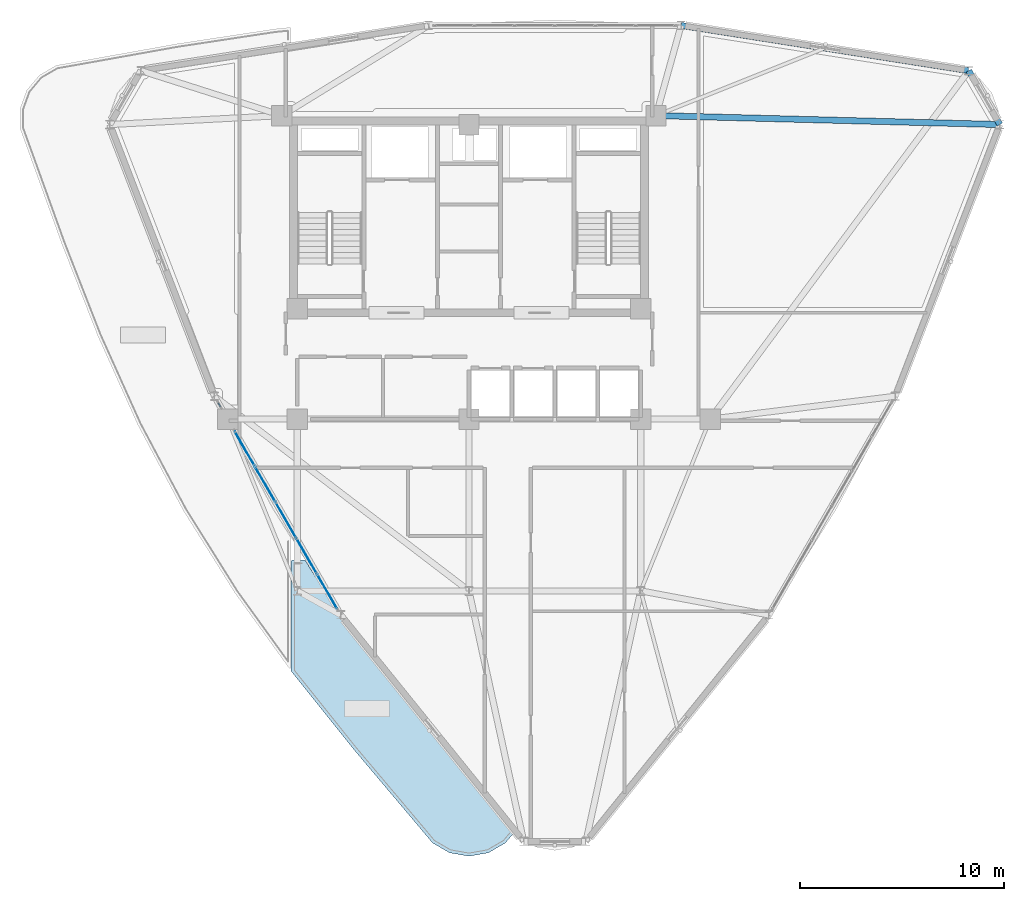
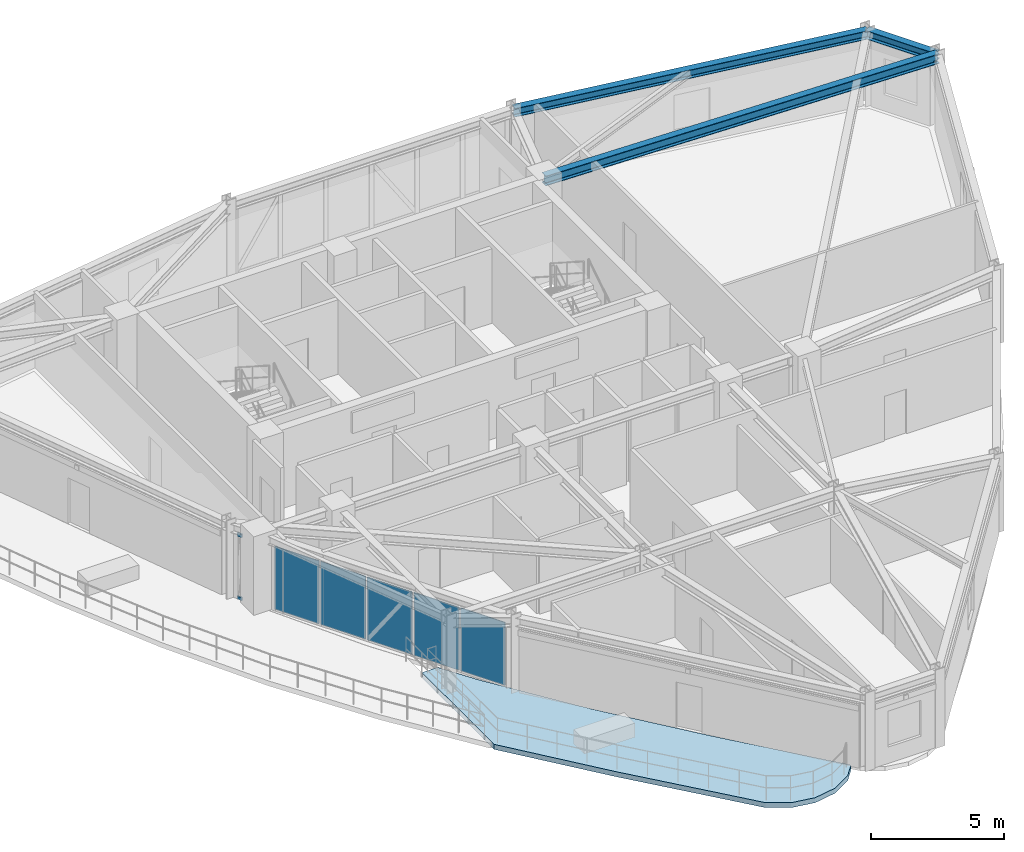
# One storey, part 11 of 19: 5 plates, 3 beams, 2 members, 1 slab, 2 elements without a shape of their own.
"""IFC4 building model written with IfcOpenShell, lengths in metres."""

from ifc_helpers import new_model, si_unit, derived_unit, direction, frame, origin, origin_2d, place, context, subcontext, project, spatial, polyline, rectangle, hollow_rectangle, i_section, outline, extrude, source, transform, mapped, material, layer, layer_set, material_profile, profile_set, type_object, element, aggregate, save


model = new_model("IFC4")

# Units and contexts
model_context = context("Model", 3, precision=1e-05, world=origin(), true_north=direction((0.0, 1.0)))
body_context = subcontext(model_context, "Body", "Model", "MODEL_VIEW")
ifc_project = project(units=[si_unit("LENGTHUNIT", "METRE"), si_unit("AREAUNIT", "SQUARE_METRE"), si_unit("VOLUMEUNIT", "CUBIC_METRE"), si_unit("PLANEANGLEUNIT", "RADIAN"), si_unit("MASSUNIT", "GRAM", prefix="KILO"), derived_unit("THERMALTRANSMITTANCEUNIT", [(si_unit("POWERUNIT", "WATT"), 1), (si_unit("LENGTHUNIT", "METRE"), -2), (si_unit("THERMODYNAMICTEMPERATUREUNIT", "KELVIN"), -1)])], contexts=[model_context])

# Site, building, storey
site_placement = place(None, origin())
site = spatial("IfcSite", under=ifc_project, at=site_placement, CompositionType="ELEMENT")
building_placement = place(site_placement, origin())
building = spatial("IfcBuilding", under=site, at=building_placement, Name="Korsvarv Bourse and Concert Hall", CompositionType="ELEMENT")
storey_placement = place(building_placement, frame((0.0, 0.0, 205.800048828125)))
storey = spatial("IfcBuildingStorey", under=building, at=storey_placement, Name="L53", CompositionType="ELEMENT", Elevation=205.800048828125)

# Beams
ifc_material_1 = material(Name="Steel S355", Category="steel")
ifc_material_profile_1 = material_profile(ifc_material_1, i_section(OverallWidth=0.300048828125, OverallDepth=0.389892578125, WebThickness=0.010986328125, FlangeThickness=0.01904296875, FilletRadius=0.02099609375, at=origin_2d()), Name="HEA 400")
ifc_profile_set_1 = profile_set([ifc_material_profile_1], Name="Steel S355")
beam_type_1 = type_object("IfcBeamType", Name="BM-HEA400", PredefinedType="BEAM", material=ifc_profile_set_1)
shared_shape_1 = source(origin(), body_context, "Body", "SweptSolid", [
    extrude(i_section(OverallWidth=0.300048828125, OverallDepth=0.389892578125, WebThickness=0.010986328125, FlangeThickness=0.01904296875, FilletRadius=0.02099609375, at=origin_2d()), origin(), (0.0, 0.0, 1.0), 3.04443359375),
])
beam_1_placement = place(storey_placement, frame((61.97021484375, 46.811279296875, 3.21484375), z_axis=(-0.500011694876, 0.866018651639, 0.0), x_axis=(-0.866018651639, -0.500011694876, 0.0)))
element("IfcBeam", 1, at=beam_1_placement, inside=storey, type_object=beam_type_1, Name="L53 beam B-11", PredefinedType="BEAM", context=body_context, shape_type="MappedRepresentation", body=[
    mapped(shared_shape_1, transform((0.0, 0.0, 0.0), scale=1.0)),
])
shared_shape_2 = source(origin(), body_context, "Body", "SweptSolid", [
    extrude(i_section(OverallWidth=0.300048828125, OverallDepth=0.389892578125, WebThickness=0.010986328125, FlangeThickness=0.01904296875, FilletRadius=0.02099609375, at=origin_2d()), origin(), (0.0, 0.0, 1.0), 14.244384765625),
])
beam_2_placement = place(storey_placement, frame((60.447998046875, 49.44775390625, 3.21484375), z_axis=(-0.987848421063, 0.15542038799, 0.0), x_axis=(-0.15542038799, -0.987848421063, 0.0)))
element("IfcBeam", 2, at=beam_2_placement, inside=storey, type_object=beam_type_1, Name="L53 beam B-11", PredefinedType="BEAM", context=body_context, shape_type="MappedRepresentation", body=[
    mapped(shared_shape_2, transform((0.0, 0.0, 0.0), scale=1.0)),
])
ifc_material_profile_2 = material_profile(ifc_material_1, i_section(OverallWidth=0.300048828125, OverallDepth=0.449951171875, WebThickness=0.013916015625, FlangeThickness=0.02587890625, FilletRadius=0.02099609375, at=origin_2d()), Name="HEB 450")
ifc_profile_set_2 = profile_set([ifc_material_profile_2], Name="Steel S355")
beam_type_2 = type_object("IfcBeamType", Name="BM-HEB450", PredefinedType="SPANDREL", material=ifc_profile_set_2)
shared_shape_3 = source(origin(), body_context, "Body", "SweptSolid", [
    extrude(i_section(OverallWidth=0.300048828125, OverallDepth=0.449951171875, WebThickness=0.013916015625, FlangeThickness=0.02587890625, FilletRadius=0.02099609375, at=origin_2d()), origin(), (0.0, 0.0, 1.0), 16.825927734375),
])
beam_3_placement = place(storey_placement, frame((61.97021484375, 46.811279296875, 3.18505859375), z_axis=(-0.999660017456, 0.02607392376, 0.0), x_axis=(-0.02607392376, -0.999660017456, 0.0)))
element("IfcBeam", 3, at=beam_3_placement, inside=storey, type_object=beam_type_2, Name="L53 beam B-08", PredefinedType="SPANDREL", context=body_context, shape_type="MappedRepresentation", body=[
    mapped(shared_shape_3, transform((0.0, 0.0, 0.0), scale=1.0)),
])

# Curtain wall, members
ifc_material_2 = material(Name="Anodised aluminium and triple low-E glazing", Category="glass")
ifc_layer_1 = layer(ifc_material_2, 0.199951171875)
ifc_layer_set_1 = layer_set([ifc_layer_1], Name="Anodised aluminium and triple low-E glazing")
curtain_wall_type = type_object("IfcCurtainWallType", Name="CW-SYS-3", PredefinedType="NOTDEFINED", material=ifc_layer_set_1)
curtain_wall_1_placement = place(storey_placement, origin())
curtain_wall_1 = element("IfcCurtainWall", 4, at=curtain_wall_1_placement, inside=storey, type_object=curtain_wall_type, Name="L53 CW3 curtain wall CW-L53-F07-1", PredefinedType="NOTDEFINED")
ifc_material_3 = material(Name="Extruded aluminium EN AW-6063 T66", Category="aluminium")
ifc_material_profile_3 = material_profile(ifc_material_3, hollow_rectangle(XDim=0.06494140625, YDim=0.139892578125, WallThickness=0.00390625, at=origin_2d()), Name="ALU-T 65x140")
ifc_profile_set_3 = profile_set([ifc_material_profile_3], Name="Extruded aluminium EN AW-6063 T66")
member_type = type_object("IfcMemberType", Name="CWT-140", PredefinedType="USERDEFINED", material=ifc_profile_set_3)
shared_shape_4 = source(origin(), body_context, "Body", "SweptSolid", [
    extrude(hollow_rectangle(XDim=0.06494140625, YDim=0.139892578125, WallThickness=0.00390625, at=origin_2d()), origin(), (0.0, 0.0, 1.0), 0.21826171875),
])
member_1_placement = place(storey_placement, frame((23.732177734375, 33.19970703125, 0.032470703125), z_axis=(0.500109828528, -0.865961984968, 0.0), x_axis=(0.865961984968, 0.500109828528, 0.0)))
member_1 = element("IfcMember", 5, at=member_1_placement, type_object=member_type, Name="CW3 transom 1.1", ObjectType="TRANSOM", PredefinedType="USERDEFINED", context=body_context, shape_type="MappedRepresentation", body=[
    mapped(shared_shape_4, transform((0.0, 0.0, 0.0), scale=1.0)),
])
member_2_placement = place(storey_placement, frame((23.732177734375, 33.19970703125, 2.927490234375), z_axis=(0.500109828528, -0.865961984968, 0.0), x_axis=(0.865961984968, 0.500109828528, 0.0)))
member_2 = element("IfcMember", 6, at=member_2_placement, type_object=member_type, Name="CW3 transom 1.2", ObjectType="TRANSOM", PredefinedType="USERDEFINED", context=body_context, shape_type="MappedRepresentation", body=[
    mapped(shared_shape_4, transform((0.0, 0.0, 0.0), scale=1.0)),
])
aggregate(curtain_wall_1, [member_1, member_2])

# Slab
ifc_material_4 = material(Name="Concrete C45/55", Category="concrete")
ifc_layer_2 = layer(ifc_material_4, 0.22998046875)
ifc_layer_set_2 = layer_set([ifc_layer_2], Name="Concrete C45/55")
slab_type = type_object("IfcSlabType", Name="SLB-SKY", PredefinedType="FLOOR", material=ifc_layer_set_2)
slab_placement = place(storey_placement, frame((0.0, 0.0, -0.22998046875)))
element("IfcSlab", 7, at=slab_placement, inside=storey, type_object=slab_type, Name="L53 Crescent Sky Garden Terrace 2", PredefinedType="FLOOR", context=body_context, shape_type="SweptSolid", body=[
    extrude(outline(polyline([(28.897216796875, 24.039306640625), (28.897705078125, 24.03857421875), (31.66845703125, 20.19384765625), (31.668701171875, 20.193359375), (31.669189453125, 20.19287109375), (34.65625, 16.45263671875), (34.656494140625, 16.452392578125), (34.65673828125, 16.4521484375), (37.76953125, 12.759521484375), (37.76953125, 12.75927734375), (37.770751953125, 12.7578125), (37.770751953125, 12.7578125), (38.201416015625, 12.244384765625), (38.205078125, 12.23974609375), (38.208251953125, 12.234619140625), (38.210693359375, 12.229248046875), (38.212890625, 12.2236328125), (38.21435546875, 12.218017578125), (38.215087890625, 12.2119140625), (38.215576171875, 12.2060546875), (38.215087890625, 12.199951171875), (38.21435546875, 12.194091796875), (38.212890625, 12.188232421875), (38.210693359375, 12.1826171875), (38.208251953125, 12.17724609375), (38.205078125, 12.172119140625), (38.201416015625, 12.16748046875), (37.788330078125, 11.675048828125), (37.784912109375, 11.671142578125), (37.781005859375, 11.667724609375), (37.77685546875, 11.66455078125), (37.7724609375, 11.66162109375), (36.957275390625, 11.19091796875), (36.952392578125, 11.188720703125), (36.94775390625, 11.1865234375), (36.942626953125, 11.18505859375), (36.9375, 11.183837890625), (36.010498046875, 11.0205078125), (36.005126953125, 11.019775390625), (36.0, 11.01953125), (35.994873046875, 11.019775390625), (35.989501953125, 11.0205078125), (35.0625, 11.183837890625), (35.057373046875, 11.18505859375), (35.05224609375, 11.1865234375), (35.047607421875, 11.188720703125), (35.042724609375, 11.19091796875), (34.2275390625, 11.66162109375), (34.22314453125, 11.66455078125), (34.218994140625, 11.667724609375), (34.215087890625, 11.671142578125), (34.211669921875, 11.675048828125), (33.5, 12.52294921875), (33.499755859375, 12.523681640625), (33.498779296875, 12.5244140625), (33.498046875, 12.525390625), (30.3564453125, 16.249267578125), (30.35546875, 16.25048828125), (27.34130859375, 20.02197265625), (27.339599609375, 20.0244140625), (27.311279296875, 20.063720703125), (27.307861328125, 20.06884765625), (27.30517578125, 20.074462890625), (27.302978515625, 20.080322265625), (27.30126953125, 20.086181640625), (27.30029296875, 20.092529296875), (27.300048828125, 20.0986328125), (27.300048828125, 25.43994140625), (27.30029296875, 25.44580078125), (27.30126953125, 25.45166015625), (27.302490234375, 25.45751953125), (27.3046875, 25.462890625), (27.30712890625, 25.46826171875), (27.31005859375, 25.473388671875), (27.313720703125, 25.47802734375), (27.317626953125, 25.482421875), (27.322021484375, 25.486328125), (27.32666015625, 25.489990234375), (27.331787109375, 25.492919921875), (27.3369140625, 25.495361328125), (27.342529296875, 25.497314453125), (27.348388671875, 25.498779296875), (27.35400390625, 25.499755859375), (27.360107421875, 25.5), (27.949951171875, 25.5), (27.955810546875, 25.499755859375), (27.9619140625, 25.498779296875), (27.9677734375, 25.497314453125), (27.973388671875, 25.4951171875), (27.97900390625, 25.492431640625), (27.984130859375, 25.4892578125), (27.989013671875, 25.485595703125), (27.993408203125, 25.4814453125), (27.997314453125, 25.476806640625), (28.000732421875, 25.4716796875), (28.896728515625, 24.0400390625), (28.897216796875, 24.039306640625)])), origin(), (0.0, 0.0, 1.0), 0.22998046875),
])

# Curtain wall, plates
curtain_wall_2_placement = place(storey_placement, origin())
curtain_wall_2 = element("IfcCurtainWall", 8, at=curtain_wall_2_placement, inside=storey, type_object=curtain_wall_type, Name="L53 CW3 curtain wall CW-L53-F07-2", PredefinedType="NOTDEFINED")
ifc_material_5 = material(Name="Tempered triple insulated low-E architectural glass", Category="glass")
ifc_layer_3 = layer(ifc_material_5, 0.0380859375)
ifc_layer_set_3 = layer_set([ifc_layer_3], Name="Tempered triple insulated low-E architectural glass")
plate_type_1 = type_object("IfcPlateType", Name="CWP-VIS2", PredefinedType="CURTAIN_PANEL", material=ifc_layer_set_3)
shared_shape_5 = source(origin(), body_context, "Body", "SweptSolid", [
    extrude(rectangle(XDim=1.9208984375, YDim=0.0380859375, at=origin_2d()), origin(), (0.0, 0.0, 1.0), 2.889892578125),
])
plate_1_placement = place(storey_placement, frame((25.026611328125, 30.957763671875, 0.06494140625), z_axis=(0.0, 0.0, 1.0), x_axis=(0.49999877372, -0.866026111776, 0.0)))
plate_1 = element("IfcPlate", 9, at=plate_1_placement, type_object=plate_type_1, Name="CW3 faceted panel 1.1", PredefinedType="CURTAIN_PANEL", context=body_context, shape_type="MappedRepresentation", body=[
    mapped(shared_shape_5, transform((0.0, 0.0, 0.0), scale=1.0)),
])
plate_2_placement = place(storey_placement, frame((29.060791015625, 23.970458984375, 0.06494140625), z_axis=(0.0, 0.0, 1.0), x_axis=(0.49999877372, -0.866026111776, 0.0)))
plate_2 = element("IfcPlate", 10, at=plate_2_placement, type_object=plate_type_1, Name="CW3 faceted panel 5.1", PredefinedType="CURTAIN_PANEL", context=body_context, shape_type="MappedRepresentation", body=[
    mapped(shared_shape_5, transform((0.0, 0.0, 0.0), scale=1.0)),
])
shared_shape_6 = source(origin(), body_context, "Body", "SweptSolid", [
    extrude(rectangle(XDim=1.955810546875, YDim=0.0380859375, at=origin_2d()), origin(), (0.0, 0.0, 1.0), 2.889892578125),
])
plate_3_placement = place(storey_placement, frame((26.03076171875, 29.218505859375, 0.06494140625), z_axis=(0.0, 0.0, 1.0), x_axis=(0.49999877372, -0.866026111776, 0.0)))
plate_3 = element("IfcPlate", 11, at=plate_3_placement, type_object=plate_type_1, Name="CW3 faceted panel 2.1", PredefinedType="CURTAIN_PANEL", context=body_context, shape_type="MappedRepresentation", body=[
    mapped(shared_shape_6, transform((0.0, 0.0, 0.0), scale=1.0)),
])
plate_4_placement = place(storey_placement, frame((28.056640625, 25.709716796875, 0.06494140625), z_axis=(0.0, 0.0, 1.0), x_axis=(0.49999877372, -0.866026111776, 0.0)))
plate_4 = element("IfcPlate", 12, at=plate_4_placement, type_object=plate_type_1, Name="CW3 faceted panel 4.1", PredefinedType="CURTAIN_PANEL", context=body_context, shape_type="MappedRepresentation", body=[
    mapped(shared_shape_6, transform((0.0, 0.0, 0.0), scale=1.0)),
])
ifc_material_6 = material(Name="Insulated spandrel glass", Category="glass")
ifc_layer_4 = layer(ifc_material_6, 0.031982421875)
ifc_layer_set_4 = layer_set([ifc_layer_4], Name="Insulated spandrel glass")
plate_type_2 = type_object("IfcPlateType", Name="CWP-SPD1", PredefinedType="CURTAIN_PANEL", material=ifc_layer_set_4)
shared_shape_7 = source(origin(), body_context, "Body", "SweptSolid", [
    extrude(rectangle(XDim=1.955810546875, YDim=0.031982421875, at=origin_2d()), origin(), (0.0, 0.0, 1.0), 2.889892578125),
])
plate_5_placement = place(storey_placement, frame((27.043701171875, 27.464111328125, 0.06494140625), z_axis=(0.0, 0.0, 1.0), x_axis=(0.49999877372, -0.866026111776, 0.0)))
plate_5 = element("IfcPlate", 13, at=plate_5_placement, type_object=plate_type_2, Name="CW3 spandrel shadow-box panel 3.1", PredefinedType="CURTAIN_PANEL", context=body_context, shape_type="MappedRepresentation", body=[
    mapped(shared_shape_7, transform((0.0, 0.0, 0.0), scale=1.0)),
])
aggregate(curtain_wall_2, [plate_1, plate_3, plate_5, plate_4, plate_2])

save(model, "model.ifc")
